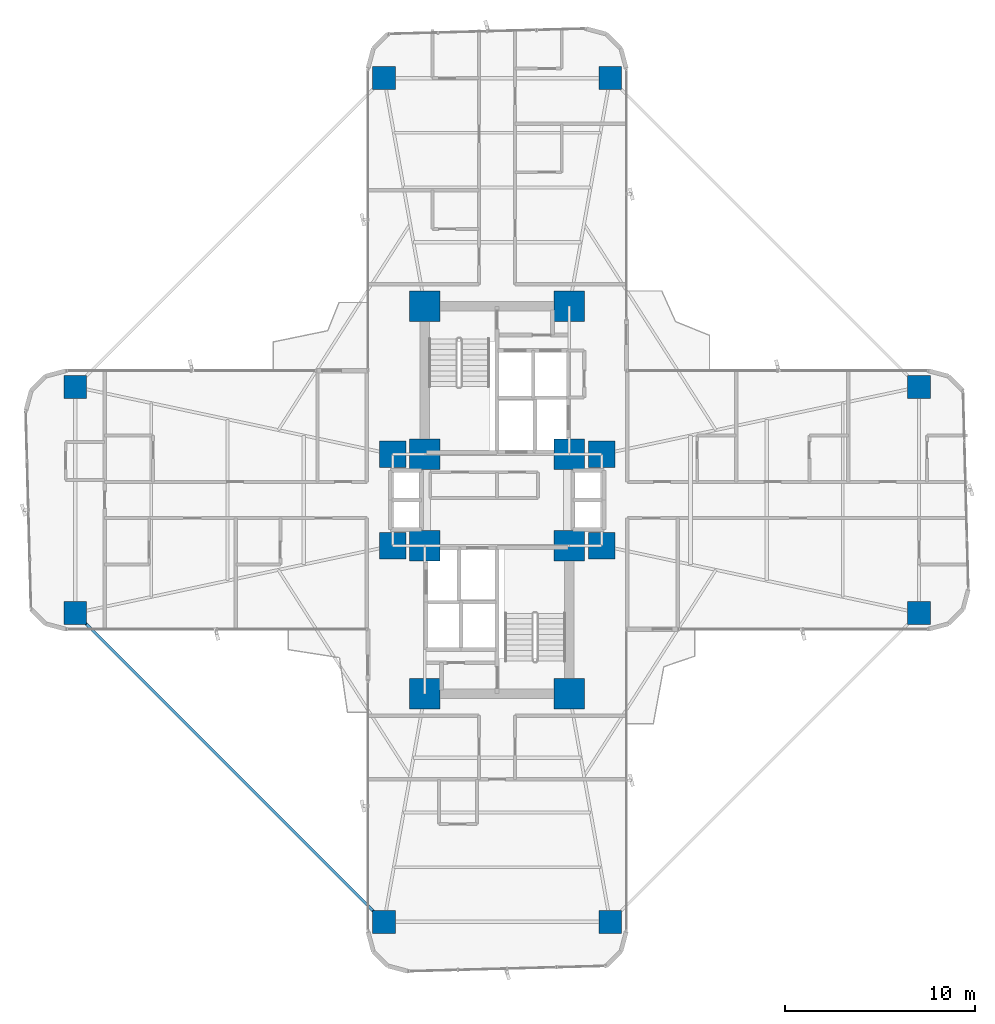
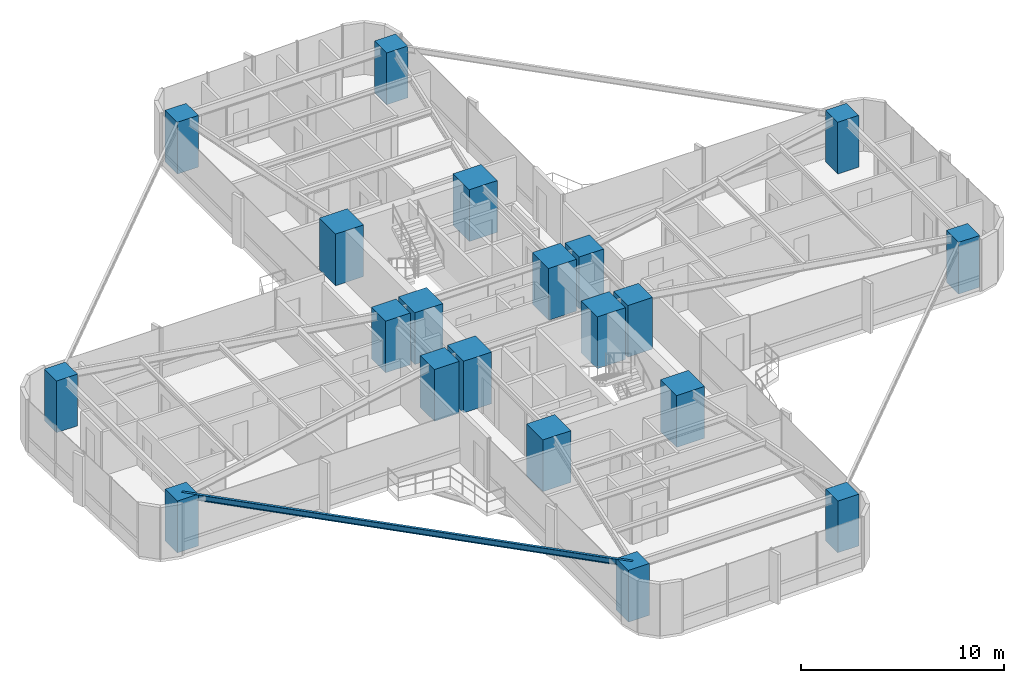
# One storey, part 1 of 26: 20 columns, 1 beam.
"""IFC4 building model written with IfcOpenShell, lengths in metres."""

from ifc_helpers import new_model, si_unit, direction, frame, origin, origin_2d, place, context, subcontext, project, spatial, rectangle, i_section, extrude, source, transform, mapped, material, material_profile, profile_set, type_object, element, save


model = new_model("IFC4")

# Units and contexts
model_context = context("Model", 3, precision=1e-05, world=origin(), true_north=direction((0.0, 1.0)))
body_context = subcontext(model_context, "Body", "Model", "MODEL_VIEW")
ifc_project = project(units=[si_unit("LENGTHUNIT", "METRE"), si_unit("AREAUNIT", "SQUARE_METRE"), si_unit("VOLUMEUNIT", "CUBIC_METRE"), si_unit("PLANEANGLEUNIT", "RADIAN"), si_unit("MASSUNIT", "GRAM", prefix="KILO")], contexts=[model_context])

# Site, building, storey
site_placement = place(None, origin())
site = spatial("IfcSite", under=ifc_project, at=site_placement, CompositionType="ELEMENT")
building_placement = place(site_placement, origin())
building = spatial("IfcBuilding", under=site, at=building_placement, Name="Sahyath Konkavel Grand Hotel", CompositionType="ELEMENT")
storey_placement = place(building_placement, frame((0.0, 0.0, 51.050048828125)))
storey = spatial("IfcBuildingStorey", under=building, at=storey_placement, Name="L13", CompositionType="ELEMENT", Elevation=51.050048828125)

# Columns
ifc_material_1 = material(Name="Concrete C70/85", Category="concrete")
ifc_material_profile_1 = material_profile(ifc_material_1, rectangle(XDim=1.60009765625, YDim=1.60009765625, at=origin_2d()), Name="RC 1600x1600")
ifc_profile_set_1 = profile_set([ifc_material_profile_1], Name="Concrete C70/85")
column_type_1 = type_object("IfcColumnType", Name="COL-RC1600", PredefinedType="COLUMN", material=ifc_profile_set_1)
shared_shape_1 = source(origin(), body_context, "Body", "SweptSolid", [
    extrude(rectangle(XDim=1.60009765625, YDim=1.60009765625, at=origin_2d()), origin(), (0.0, 0.0, 1.0), 3.10986328125),
])
for number, where, z_axis, x_axis, name in (
    (1, (-3.800048828125, 2.39990234375, 0.0), (0.0, 0.0, 1.0), (1.0, 0.0, 0.0), "L13 Core Boundary Column NC-SW"),
    (2, (3.800048828125, 2.39990234375, 0.0), (0.0, 0.0, 1.0), (1.0, 0.0, 0.0), "L13 Core Boundary Column NC-SE"),
    (3, (-3.800048828125, 10.199951171875, 0.0), (0.0, 0.0, 1.0), (1.0, 0.0, 0.0), "L13 Core Boundary Column NC-NW"),
    (4, (3.800048828125, 10.199951171875, 0.0), (0.0, 0.0, 1.0), (1.0, 0.0, 0.0), "L13 Core Boundary Column NC-NE"),
    (5, (-3.800048828125, -2.39990234375, 0.0), (0.0, 0.0, 1.0), (1.0, 0.0, 0.0), "L13 Core Boundary Column SC-NW"),
    (6, (3.800048828125, -2.39990234375, 0.0), (0.0, 0.0, 1.0), (1.0, 0.0, 0.0), "L13 Core Boundary Column SC-NE"),
    (7, (-3.800048828125, -10.199951171875, 0.0), (0.0, 0.0, 1.0), (1.0, 0.0, 0.0), "L13 Core Boundary Column SC-SW"),
    (8, (3.800048828125, -10.199951171875, 0.0), (0.0, 0.0, 1.0), (1.0, 0.0, 0.0), "L13 Core Boundary Column SC-SE"),
):
    element("IfcColumn", number, at=place(storey_placement, frame(where, z_axis=z_axis, x_axis=x_axis)), inside=storey, type_object=column_type_1, Name=name, PredefinedType="COLUMN", context=body_context, shape_type="MappedRepresentation", body=[
        mapped(shared_shape_1, transform((0.0, 0.0, 0.0), scale=1.0)),
    ])
ifc_material_profile_2 = material_profile(ifc_material_1, rectangle(XDim=1.39990234375, YDim=1.39990234375, at=origin_2d()), Name="RC 1400x1400")
ifc_profile_set_2 = profile_set([ifc_material_profile_2], Name="Concrete C70/85")
column_type_2 = type_object("IfcColumnType", Name="COL-RC1400", PredefinedType="COLUMN", material=ifc_profile_set_2)
shared_shape_2 = source(origin(), body_context, "Body", "SweptSolid", [
    extrude(rectangle(XDim=1.39990234375, YDim=1.39990234375, at=origin_2d()), origin(), (0.0, 0.0, 1.0), 3.10986328125),
])
for number, where, z_axis, x_axis, name in (
    (9, (5.5, 2.39990234375, 0.0), (0.0, 0.0, 1.0), (1.0, 0.0, 0.0), "L13 Central Spine Column HB-NE"),
    (10, (-5.5, 2.39990234375, 0.0), (0.0, 0.0, 1.0), (1.0, 0.0, 0.0), "L13 Central Spine Column HB-NW"),
    (11, (5.5, -2.39990234375, 0.0), (0.0, 0.0, 1.0), (1.0, 0.0, 0.0), "L13 Central Spine Column HB-SE"),
    (12, (-5.5, -2.39990234375, 0.0), (0.0, 0.0, 1.0), (1.0, 0.0, 0.0), "L13 Central Spine Column HB-SW"),
):
    element("IfcColumn", number, at=place(storey_placement, frame(where, z_axis=z_axis, x_axis=x_axis)), inside=storey, type_object=column_type_2, Name=name, PredefinedType="COLUMN", context=body_context, shape_type="MappedRepresentation", body=[
        mapped(shared_shape_2, transform((0.0, 0.0, 0.0), scale=1.0)),
    ])
ifc_material_2 = material(Name="Concrete C50/60", Category="concrete")
ifc_material_profile_3 = material_profile(ifc_material_2, rectangle(XDim=1.199951171875, YDim=1.199951171875, at=origin_2d()), Name="RC 1200x1200")
ifc_profile_set_3 = profile_set([ifc_material_profile_3], Name="Concrete C50/60")
column_type_3 = type_object("IfcColumnType", Name="COL-RC1200", PredefinedType="COLUMN", material=ifc_profile_set_3)
shared_shape_3 = source(origin(), body_context, "Body", "SweptSolid", [
    extrude(rectangle(XDim=1.199951171875, YDim=1.199951171875, at=origin_2d()), origin(), (0.0, 0.0, 1.0), 3.10986328125),
])
for number, where, z_axis, x_axis, name in (
    (13, (22.199951171875, -5.949951171875, 0.0), (0.0, 0.0, 1.0), (1.0, 0.0, 0.0), "L13 Cruciform Wing Column WC-EA"),
    (14, (22.199951171875, 5.949951171875, 0.0), (0.0, 0.0, 1.0), (1.0, 0.0, 0.0), "L13 Cruciform Wing Column WC-EB"),
    (15, (5.949951171875, 22.199951171875, 0.0), (0.0, 0.0, 1.0), (1.0, 0.0, 0.0), "L13 Cruciform Wing Column WC-NA"),
    (16, (-5.949951171875, 22.199951171875, 0.0), (0.0, 0.0, 1.0), (1.0, 0.0, 0.0), "L13 Cruciform Wing Column WC-NB"),
    (17, (-22.199951171875, 5.949951171875, 0.0), (0.0, 0.0, 1.0), (1.0, 0.0, 0.0), "L13 Cruciform Wing Column WC-WA"),
    (18, (-22.199951171875, -5.949951171875, 0.0), (0.0, 0.0, 1.0), (1.0, 0.0, 0.0), "L13 Cruciform Wing Column WC-WB"),
    (19, (-5.949951171875, -22.199951171875, 0.0), (0.0, 0.0, 1.0), (1.0, 0.0, 0.0), "L13 Cruciform Wing Column WC-SA"),
    (20, (5.949951171875, -22.199951171875, 0.0), (0.0, 0.0, 1.0), (1.0, 0.0, 0.0), "L13 Cruciform Wing Column WC-SB"),
):
    element("IfcColumn", number, at=place(storey_placement, frame(where, z_axis=z_axis, x_axis=x_axis)), inside=storey, type_object=column_type_3, Name=name, PredefinedType="COLUMN", context=body_context, shape_type="MappedRepresentation", body=[
        mapped(shared_shape_3, transform((0.0, 0.0, 0.0), scale=1.0)),
    ])

# Beam
ifc_material_3 = material(Name="Steel E350", Category="steel")
ifc_material_profile_4 = material_profile(ifc_material_3, i_section(OverallWidth=0.139892578125, OverallDepth=0.35009765625, WebThickness=0.008056640625, FlangeThickness=0.01416015625, FilletRadius=0.013916015625, at=origin_2d()), Name="ISMB 350")
ifc_profile_set_4 = profile_set([ifc_material_profile_4], Name="Steel E350")
beam_type = type_object("IfcBeamType", Name="BM-ISMB350", PredefinedType="BEAM", material=ifc_profile_set_4)
shared_shape_4 = source(origin(), body_context, "Body", "SweptSolid", [
    extrude(i_section(OverallWidth=0.139892578125, OverallDepth=0.35009765625, WebThickness=0.008056640625, FlangeThickness=0.01416015625, FilletRadius=0.013916015625, at=origin_2d()), origin(), (0.0, 0.0, 1.0), 22.98095703125),
])
beam_placement = place(storey_placement, frame((-22.199951171875, -5.949951171875, 2.93505859375), z_axis=(0.707106781187, -0.707106781187, 0.0), x_axis=(0.707106781187, 0.707106781187, 0.0)))
element("IfcBeam", 21, at=beam_placement, inside=storey, type_object=beam_type, Name="L13 Re-Entrant Tie Beam SW", PredefinedType="BEAM", context=body_context, shape_type="MappedRepresentation", body=[
    mapped(shared_shape_4, transform((0.0, 0.0, 0.0), scale=1.0)),
])

save(model, "model.ifc")
